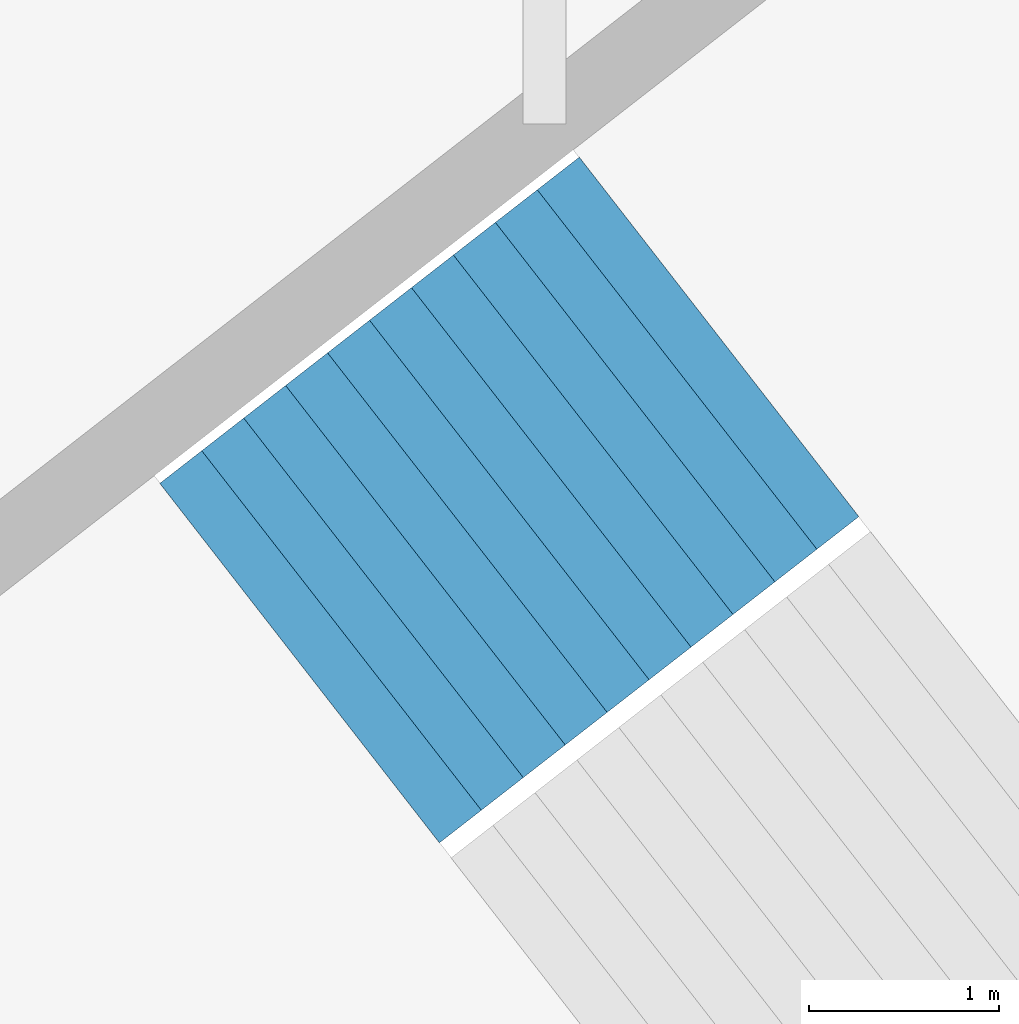
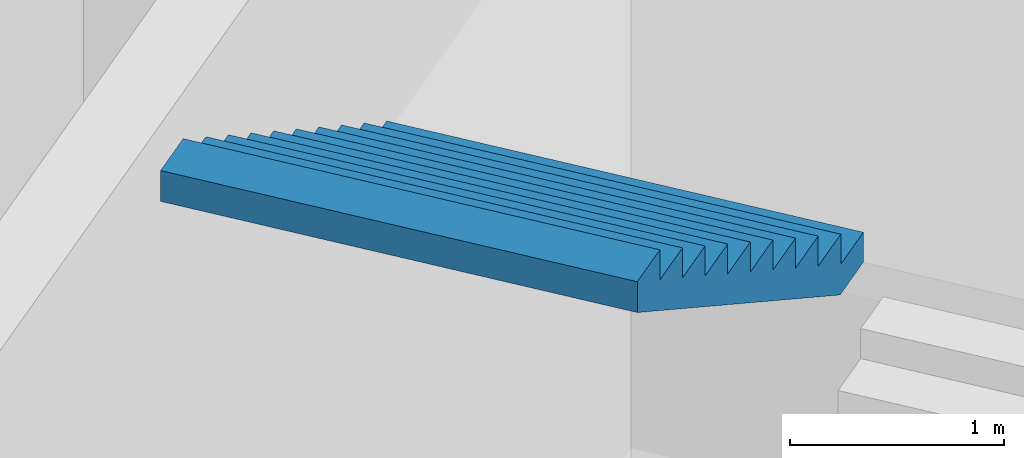
# One storey, part 64 of 73: 1 stair flight, 1 element without a shape of its own.
"""IFC4 building model written with IfcOpenShell, lengths in metres."""

from ifc_helpers import new_model, si_unit, direction, frame, origin, place, context, subcontext, project, spatial, triangles, material, type_object, element, aggregate, save


model = new_model("IFC4")

# Units and contexts
model_context = context("Model", 3, precision=1e-05, world=origin(), true_north=direction((0.0, 1.0)))
body_context = subcontext(model_context, "Body", "Model", "MODEL_VIEW")
ifc_project = project(units=[si_unit("LENGTHUNIT", "METRE"), si_unit("AREAUNIT", "SQUARE_METRE"), si_unit("VOLUMEUNIT", "CUBIC_METRE"), si_unit("PLANEANGLEUNIT", "RADIAN"), si_unit("MASSUNIT", "GRAM", prefix="KILO")], contexts=[model_context])

# Site, building, storey
site_placement = place(None, origin())
site = spatial("IfcSite", under=ifc_project, at=site_placement, CompositionType="ELEMENT")
building_placement = place(site_placement, origin())
building = spatial("IfcBuilding", under=site, at=building_placement, Name="Lantaw Convention Tower", CompositionType="ELEMENT")
storey_placement = place(building_placement, frame((0.0, 0.0, 14.5)))
storey = spatial("IfcBuildingStorey", under=building, at=storey_placement, Name="L02", CompositionType="ELEMENT", Elevation=14.5)

# Stair, stair flight
ifc_material = material(Name="Concrete C35/45", Category="concrete")
stair_type = type_object("IfcStairType", Name="Exit stair 2400 riser 170.45 in 4 flights", PredefinedType="HALF_TURN_STAIR", material=ifc_material)
stair_placement = place(storey_placement, origin())
stair = element("IfcStair", 1, at=stair_placement, inside=storey, type_object=stair_type, Name="Podium exit stair P3 L02", PredefinedType="HALF_TURN_STAIR")
stair_flight_type = type_object("IfcStairFlightType", Name="Stair flight 2400 riser 170.45", PredefinedType="STRAIGHT", material=ifc_material)
stair_flight_placement = place(storey_placement, frame((30.169921875, 25.046875, 5.625), z_axis=(0.0, 0.0, 1.0), x_axis=(-0.789378829664, -0.613906396186, 0.0)))
stair_flight = element("IfcStairFlight", 2, at=stair_flight_placement, type_object=stair_flight_type, Name="P3 flight 4", NumberOfRisers=11, NumberOfTreads=10, PredefinedType="STRAIGHT", RiserHeight=0.170454545, TreadLength=0.28, context=body_context, shape_type="Tessellation", body=[
    triangles([(0.0, 1.199951171875, 0.0), (0.0, 1.199951171875, 0.170454545), (0.28, 1.199951171875, 0.0), (0.28, 1.199951171875, 0.170454545), (0.28, 1.199951171875, 0.34090909), (0.28827876332691904, 1.199951171875, 0.0), (0.28827876332691904, 1.199951171875, 0.34090909), (0.56, 1.199951171875, 0.16541471344266906), (0.56, 1.199951171875, 0.34090909), (0.56, 1.199951171875, 0.511363635), (0.8400000000000001, 1.199951171875, 0.335869258442669), (0.8400000000000001, 1.199951171875, 0.511363635), (0.8400000000000001, 1.199951171875, 0.68181818), (1.12, 1.199951171875, 0.506323803442669), (1.12, 1.199951171875, 0.68181818), (1.12, 1.199951171875, 0.8522727250000001), (1.4000000000000001, 1.199951171875, 0.676778348442669), (1.4000000000000001, 1.199951171875, 0.8522727250000001), (1.4000000000000001, 1.199951171875, 1.02272727), (1.6800000000000002, 1.199951171875, 0.847232893442669), (1.6800000000000002, 1.199951171875, 1.02272727), (1.6800000000000002, 1.199951171875, 1.193181815), (1.9600000000000002, 1.199951171875, 1.017687438442669), (1.9600000000000002, 1.199951171875, 1.193181815), (1.9600000000000002, 1.199951171875, 1.36363636), (2.24, 1.199951171875, 1.188141983442669), (2.24, 1.199951171875, 1.36363636), (2.24, 1.199951171875, 1.5340909050000002), (2.5200000000000005, 1.199951171875, 1.358596528442669), (2.5200000000000005, 1.199951171875, 1.5340909050000002), (2.5200000000000005, 1.199951171875, 1.7045454500000001), (2.8000000000000003, 1.199951171875, 1.529051073442669), (2.8000000000000003, 1.199951171875, 1.7045454500000001), (0.0, -1.199951171875, 0.0), (0.0, -1.199951171875, 0.170454545), (0.28, -1.199951171875, 0.0), (0.28, -1.199951171875, 0.170454545), (0.28, -1.199951171875, 0.34090909), (0.28827876332691904, -1.199951171875, 0.0), (0.28827876332691904, -1.199951171875, 0.34090909), (0.56, -1.199951171875, 0.16541471344266906), (0.56, -1.199951171875, 0.34090909), (0.56, -1.199951171875, 0.511363635), (0.8400000000000001, -1.199951171875, 0.335869258442669), (0.8400000000000001, -1.199951171875, 0.511363635), (0.8400000000000001, -1.199951171875, 0.68181818), (1.12, -1.199951171875, 0.506323803442669), (1.12, -1.199951171875, 0.68181818), (1.12, -1.199951171875, 0.8522727250000001), (1.4000000000000001, -1.199951171875, 0.676778348442669), (1.4000000000000001, -1.199951171875, 0.8522727250000001), (1.4000000000000001, -1.199951171875, 1.02272727), (1.6800000000000002, -1.199951171875, 0.847232893442669), (1.6800000000000002, -1.199951171875, 1.02272727), (1.6800000000000002, -1.199951171875, 1.193181815), (1.9600000000000002, -1.199951171875, 1.017687438442669), (1.9600000000000002, -1.199951171875, 1.193181815), (1.9600000000000002, -1.199951171875, 1.36363636), (2.24, -1.199951171875, 1.188141983442669), (2.24, -1.199951171875, 1.36363636), (2.24, -1.199951171875, 1.5340909050000002), (2.5200000000000005, -1.199951171875, 1.358596528442669), (2.5200000000000005, -1.199951171875, 1.5340909050000002), (2.5200000000000005, -1.199951171875, 1.7045454500000001), (2.8000000000000003, -1.199951171875, 1.529051073442669), (2.8000000000000003, -1.199951171875, 1.7045454500000001), (0.0, 0.239990234375, 0.170454545), (0.0, 0.239990234375, 0.0), (0.0, 0.1199951171875, 0.170454545), (0.0, 0.1199951171875, 0.0), (0.0, 0.0, 0.170454545), (0.0, 0.0, 0.0), (0.0, -0.1199951171875, 0.170454545), (0.0, -0.1199951171875, 0.0), (0.0, -0.239990234375, 0.170454545), (0.0, -0.239990234375, 0.0), (0.28, 0.239990234375, 0.34090909), (0.28, 0.239990234375, 0.170454545), (0.28, 0.1199951171875, 0.34090909), (0.28, 0.1199951171875, 0.170454545), (0.28, 0.0, 0.34090909), (0.28, 0.0, 0.170454545), (0.28, -0.1199951171875, 0.34090909), (0.28, -0.1199951171875, 0.170454545), (0.28, -0.239990234375, 0.34090909), (0.28, -0.239990234375, 0.170454545), (0.56, 0.239990234375, 0.511363635), (0.56, 0.239990234375, 0.34090909), (0.56, 0.1199951171875, 0.511363635), (0.56, 0.1199951171875, 0.34090909), (0.56, 0.0, 0.511363635), (0.56, 0.0, 0.34090909), (0.56, -0.1199951171875, 0.511363635), (0.56, -0.1199951171875, 0.34090909), (0.56, -0.239990234375, 0.511363635), (0.56, -0.239990234375, 0.34090909), (0.8400000000000001, 0.239990234375, 0.68181818), (0.8400000000000001, 0.239990234375, 0.511363635), (0.8400000000000001, 0.1199951171875, 0.68181818), (0.8400000000000001, 0.1199951171875, 0.511363635), (0.8400000000000001, 0.0, 0.68181818), (0.8400000000000001, 0.0, 0.511363635), (0.8400000000000001, -0.1199951171875, 0.68181818), (0.8400000000000001, -0.1199951171875, 0.511363635), (0.8400000000000001, -0.239990234375, 0.68181818), (0.8400000000000001, -0.239990234375, 0.511363635), (1.12, 0.239990234375, 0.8522727250000001), (1.12, 0.239990234375, 0.68181818), (1.12, 0.1199951171875, 0.8522727250000001), (1.12, 0.1199951171875, 0.68181818), (1.12, 0.0, 0.8522727250000001), (1.12, 0.0, 0.68181818), (1.12, -0.1199951171875, 0.8522727250000001), (1.12, -0.1199951171875, 0.68181818), (1.12, -0.239990234375, 0.8522727250000001), (1.12, -0.239990234375, 0.68181818), (1.4000000000000001, 0.239990234375, 1.02272727), (1.4000000000000001, 0.239990234375, 0.8522727250000001), (1.4000000000000001, 0.1199951171875, 1.02272727), (1.4000000000000001, 0.1199951171875, 0.8522727250000001), (1.4000000000000001, 0.0, 1.02272727), (1.4000000000000001, 0.0, 0.8522727250000001), (1.4000000000000001, -0.1199951171875, 1.02272727), (1.4000000000000001, -0.1199951171875, 0.8522727250000001), (1.4000000000000001, -0.239990234375, 1.02272727), (1.4000000000000001, -0.239990234375, 0.8522727250000001), (1.6800000000000002, 0.239990234375, 1.193181815), (1.6800000000000002, 0.239990234375, 1.02272727), (1.6800000000000002, 0.1199951171875, 1.193181815), (1.6800000000000002, 0.1199951171875, 1.02272727), (1.6800000000000002, 0.0, 1.193181815), (1.6800000000000002, 0.0, 1.02272727), (1.6800000000000002, -0.1199951171875, 1.193181815), (1.6800000000000002, -0.1199951171875, 1.02272727), (1.6800000000000002, -0.239990234375, 1.193181815), (1.6800000000000002, -0.239990234375, 1.02272727), (1.9600000000000002, 0.239990234375, 1.36363636), (1.9600000000000002, 0.239990234375, 1.193181815), (1.9600000000000002, 0.1199951171875, 1.36363636), (1.9600000000000002, 0.1199951171875, 1.193181815), (1.9600000000000002, 0.0, 1.36363636), (1.9600000000000002, 0.0, 1.193181815), (1.9600000000000002, -0.1199951171875, 1.36363636), (1.9600000000000002, -0.1199951171875, 1.193181815), (1.9600000000000002, -0.239990234375, 1.36363636), (1.9600000000000002, -0.239990234375, 1.193181815), (2.24, 0.239990234375, 1.5340909050000002), (2.24, 0.239990234375, 1.36363636), (2.24, 0.1199951171875, 1.5340909050000002), (2.24, 0.1199951171875, 1.36363636), (2.24, 0.0, 1.5340909050000002), (2.24, 0.0, 1.36363636), (2.24, -0.1199951171875, 1.5340909050000002), (2.24, -0.1199951171875, 1.36363636), (2.24, -0.239990234375, 1.5340909050000002), (2.24, -0.239990234375, 1.36363636), (2.5200000000000005, 0.239990234375, 1.7045454500000001), (2.5200000000000005, 0.239990234375, 1.5340909050000002), (2.5200000000000005, 0.1199951171875, 1.7045454500000001), (2.5200000000000005, 0.1199951171875, 1.5340909050000002), (2.5200000000000005, 0.0, 1.7045454500000001), (2.5200000000000005, 0.0, 1.5340909050000002), (2.5200000000000005, -0.1199951171875, 1.7045454500000001), (2.5200000000000005, -0.1199951171875, 1.5340909050000002), (2.5200000000000005, -0.239990234375, 1.7045454500000001), (2.5200000000000005, -0.239990234375, 1.5340909050000002), (0.28827876332691904, 0.239990234375, 0.34090909), (0.28827876332691904, 0.1199951171875, 0.34090909), (0.28827876332691904, 0.0, 0.34090909), (0.28827876332691904, -0.1199951171875, 0.34090909), (0.28827876332691904, -0.239990234375, 0.34090909), (2.8000000000000003, 0.239990234375, 1.7045454500000001), (2.8000000000000003, 0.1199951171875, 1.7045454500000001), (2.8000000000000003, 0.0, 1.7045454500000001), (2.8000000000000003, -0.1199951171875, 1.7045454500000001), (2.8000000000000003, -0.239990234375, 1.7045454500000001), (2.8000000000000003, 0.239990234375, 1.5290510734426692), (2.8000000000000003, 0.1199951171875, 1.5290510734426692), (2.8000000000000003, 0.0, 1.5290510734426692), (2.8000000000000003, -0.1199951171875, 1.5290510734426692), (2.8000000000000003, -0.239990234375, 1.5290510734426692), (2.5200000000000005, 0.239990234375, 1.358596528442669), (2.5200000000000005, 0.1199951171875, 1.358596528442669), (2.5200000000000005, 0.0, 1.358596528442669), (2.5200000000000005, -0.1199951171875, 1.358596528442669), (2.5200000000000005, -0.239990234375, 1.358596528442669), (2.24, 0.239990234375, 1.188141983442669), (2.24, 0.1199951171875, 1.188141983442669), (2.24, 0.0, 1.188141983442669), (2.24, -0.1199951171875, 1.188141983442669), (2.24, -0.239990234375, 1.188141983442669), (1.9600000000000002, 0.239990234375, 1.017687438442669), (1.9600000000000002, 0.1199951171875, 1.017687438442669), (1.9600000000000002, 0.0, 1.017687438442669), (1.9600000000000002, -0.1199951171875, 1.017687438442669), (1.9600000000000002, -0.239990234375, 1.017687438442669), (1.6800000000000002, 0.239990234375, 0.847232893442669), (1.6800000000000002, 0.1199951171875, 0.847232893442669), (1.6800000000000002, 0.0, 0.847232893442669), (1.6800000000000002, -0.1199951171875, 0.847232893442669), (1.6800000000000002, -0.239990234375, 0.847232893442669), (1.4000000000000001, 0.239990234375, 0.676778348442669), (1.4000000000000001, 0.1199951171875, 0.676778348442669), (1.4000000000000001, 0.0, 0.676778348442669), (1.4000000000000001, -0.1199951171875, 0.676778348442669), (1.4000000000000001, -0.239990234375, 0.676778348442669), (1.12, 0.239990234375, 0.506323803442669), (1.12, 0.1199951171875, 0.506323803442669), (1.12, 0.0, 0.506323803442669), (1.12, -0.1199951171875, 0.506323803442669), (1.12, -0.239990234375, 0.506323803442669), (0.8400000000000001, 0.239990234375, 0.335869258442669), (0.8400000000000001, 0.1199951171875, 0.335869258442669), (0.8400000000000001, 0.0, 0.335869258442669), (0.8400000000000001, -0.1199951171875, 0.335869258442669), (0.8400000000000001, -0.239990234375, 0.335869258442669), (0.56, 0.239990234375, 0.16541471344266906), (0.56, 0.1199951171875, 0.16541471344266906), (0.56, 0.0, 0.16541471344266906), (0.56, -0.1199951171875, 0.16541471344266906), (0.56, -0.239990234375, 0.16541471344266906), (0.28827876332691904, 0.239990234375, 0.0), (0.28827876332691904, 0.1199951171875, 0.0), (0.28827876332691904, 0.0, 0.0), (0.28827876332691904, -0.1199951171875, 0.0), (0.28827876332691904, -0.239990234375, 0.0), (0.28, 0.239990234375, 0.0), (0.28, 0.1199951171875, 0.0), (0.28, 0.0, 0.0), (0.28, -0.1199951171875, 0.0), (0.28, -0.239990234375, 0.0)], [[1, 4, 3], [1, 2, 4], [3, 4, 6], [4, 7, 6], [4, 5, 7], [6, 9, 8], [6, 7, 9], [8, 9, 11], [9, 12, 11], [9, 10, 12], [11, 12, 14], [12, 15, 14], [12, 13, 15], [14, 15, 17], [15, 18, 17], [15, 16, 18], [17, 18, 20], [18, 21, 20], [18, 19, 21], [20, 21, 23], [21, 24, 23], [21, 22, 24], [23, 24, 26], [24, 27, 26], [24, 25, 27], [26, 27, 29], [27, 30, 29], [27, 28, 30], [29, 30, 32], [30, 33, 32], [30, 31, 33], [34, 36, 37], [34, 37, 35], [36, 39, 37], [37, 39, 40], [37, 40, 38], [39, 41, 42], [39, 42, 40], [41, 44, 42], [42, 44, 45], [42, 45, 43], [44, 47, 45], [45, 47, 48], [45, 48, 46], [47, 50, 48], [48, 50, 51], [48, 51, 49], [50, 53, 51], [51, 53, 54], [51, 54, 52], [53, 56, 54], [54, 56, 57], [54, 57, 55], [56, 59, 57], [57, 59, 60], [57, 60, 58], [59, 62, 60], [60, 62, 63], [60, 63, 61], [62, 65, 63], [63, 65, 66], [63, 66, 64], [1, 67, 2], [1, 68, 67], [68, 69, 67], [68, 70, 69], [70, 71, 69], [70, 72, 71], [72, 73, 71], [72, 74, 73], [74, 75, 73], [74, 76, 75], [76, 35, 75], [76, 34, 35], [4, 77, 5], [4, 78, 77], [78, 79, 77], [78, 80, 79], [80, 81, 79], [80, 82, 81], [82, 83, 81], [82, 84, 83], [84, 85, 83], [84, 86, 85], [86, 38, 85], [86, 37, 38], [9, 87, 10], [9, 88, 87], [88, 89, 87], [88, 90, 89], [90, 91, 89], [90, 92, 91], [92, 93, 91], [92, 94, 93], [94, 95, 93], [94, 96, 95], [96, 43, 95], [96, 42, 43], [12, 97, 13], [12, 98, 97], [98, 99, 97], [98, 100, 99], [100, 101, 99], [100, 102, 101], [102, 103, 101], [102, 104, 103], [104, 105, 103], [104, 106, 105], [106, 46, 105], [106, 45, 46], [15, 107, 16], [15, 108, 107], [108, 109, 107], [108, 110, 109], [110, 111, 109], [110, 112, 111], [112, 113, 111], [112, 114, 113], [114, 115, 113], [114, 116, 115], [116, 49, 115], [116, 48, 49], [18, 117, 19], [18, 118, 117], [118, 119, 117], [118, 120, 119], [120, 121, 119], [120, 122, 121], [122, 123, 121], [122, 124, 123], [124, 125, 123], [124, 126, 125], [126, 52, 125], [126, 51, 52], [21, 127, 22], [21, 128, 127], [128, 129, 127], [128, 130, 129], [130, 131, 129], [130, 132, 131], [132, 133, 131], [132, 134, 133], [134, 135, 133], [134, 136, 135], [136, 55, 135], [136, 54, 55], [24, 137, 25], [24, 138, 137], [138, 139, 137], [138, 140, 139], [140, 141, 139], [140, 142, 141], [142, 143, 141], [142, 144, 143], [144, 145, 143], [144, 146, 145], [146, 58, 145], [146, 57, 58], [27, 147, 28], [27, 148, 147], [148, 149, 147], [148, 150, 149], [150, 151, 149], [150, 152, 151], [152, 153, 151], [152, 154, 153], [154, 155, 153], [154, 156, 155], [156, 61, 155], [156, 60, 61], [30, 157, 31], [30, 158, 157], [158, 159, 157], [158, 160, 159], [160, 161, 159], [160, 162, 161], [162, 163, 161], [162, 164, 163], [164, 165, 163], [164, 166, 165], [166, 64, 165], [166, 63, 64], [2, 78, 4], [2, 67, 78], [67, 80, 78], [67, 69, 80], [69, 82, 80], [69, 71, 82], [71, 84, 82], [71, 73, 84], [73, 86, 84], [73, 75, 86], [75, 37, 86], [75, 35, 37], [5, 167, 7], [5, 77, 167], [77, 168, 167], [77, 79, 168], [79, 169, 168], [79, 81, 169], [81, 170, 169], [81, 83, 170], [83, 171, 170], [83, 85, 171], [85, 40, 171], [85, 38, 40], [7, 88, 9], [7, 167, 88], [167, 90, 88], [167, 168, 90], [168, 92, 90], [168, 169, 92], [169, 94, 92], [169, 170, 94], [170, 96, 94], [170, 171, 96], [171, 42, 96], [171, 40, 42], [10, 98, 12], [10, 87, 98], [87, 100, 98], [87, 89, 100], [89, 102, 100], [89, 91, 102], [91, 104, 102], [91, 93, 104], [93, 106, 104], [93, 95, 106], [95, 45, 106], [95, 43, 45], [13, 108, 15], [13, 97, 108], [97, 110, 108], [97, 99, 110], [99, 112, 110], [99, 101, 112], [101, 114, 112], [101, 103, 114], [103, 116, 114], [103, 105, 116], [105, 48, 116], [105, 46, 48], [16, 118, 18], [16, 107, 118], [107, 120, 118], [107, 109, 120], [109, 122, 120], [109, 111, 122], [111, 124, 122], [111, 113, 124], [113, 126, 124], [113, 115, 126], [115, 51, 126], [115, 49, 51], [19, 128, 21], [19, 117, 128], [117, 130, 128], [117, 119, 130], [119, 132, 130], [119, 121, 132], [121, 134, 132], [121, 123, 134], [123, 136, 134], [123, 125, 136], [125, 54, 136], [125, 52, 54], [22, 138, 24], [22, 127, 138], [127, 140, 138], [127, 129, 140], [129, 142, 140], [129, 131, 142], [131, 144, 142], [131, 133, 144], [133, 146, 144], [133, 135, 146], [135, 57, 146], [135, 55, 57], [25, 148, 27], [25, 137, 148], [137, 150, 148], [137, 139, 150], [139, 152, 150], [139, 141, 152], [141, 154, 152], [141, 143, 154], [143, 156, 154], [143, 145, 156], [145, 60, 156], [145, 58, 60], [28, 158, 30], [28, 147, 158], [147, 160, 158], [147, 149, 160], [149, 162, 160], [149, 151, 162], [151, 164, 162], [151, 153, 164], [153, 166, 164], [153, 155, 166], [155, 63, 166], [155, 61, 63], [31, 172, 33], [31, 157, 172], [157, 173, 172], [157, 159, 173], [159, 174, 173], [159, 161, 174], [161, 175, 174], [161, 163, 175], [163, 176, 175], [163, 165, 176], [165, 66, 176], [165, 64, 66], [33, 177, 32], [33, 172, 177], [172, 178, 177], [172, 173, 178], [173, 179, 178], [173, 174, 179], [174, 180, 179], [174, 175, 180], [175, 181, 180], [175, 176, 181], [176, 65, 181], [176, 66, 65], [32, 182, 29], [32, 177, 182], [177, 183, 182], [177, 178, 183], [178, 184, 183], [178, 179, 184], [179, 185, 184], [179, 180, 185], [180, 186, 185], [180, 181, 186], [181, 62, 186], [181, 65, 62], [29, 187, 26], [29, 182, 187], [182, 188, 187], [182, 183, 188], [183, 189, 188], [183, 184, 189], [184, 190, 189], [184, 185, 190], [185, 191, 190], [185, 186, 191], [186, 59, 191], [186, 62, 59], [26, 192, 23], [26, 187, 192], [187, 193, 192], [187, 188, 193], [188, 194, 193], [188, 189, 194], [189, 195, 194], [189, 190, 195], [190, 196, 195], [190, 191, 196], [191, 56, 196], [191, 59, 56], [23, 197, 20], [23, 192, 197], [192, 198, 197], [192, 193, 198], [193, 199, 198], [193, 194, 199], [194, 200, 199], [194, 195, 200], [195, 201, 200], [195, 196, 201], [196, 53, 201], [196, 56, 53], [20, 202, 17], [20, 197, 202], [197, 203, 202], [197, 198, 203], [198, 204, 203], [198, 199, 204], [199, 205, 204], [199, 200, 205], [200, 206, 205], [200, 201, 206], [201, 50, 206], [201, 53, 50], [17, 207, 14], [17, 202, 207], [202, 208, 207], [202, 203, 208], [203, 209, 208], [203, 204, 209], [204, 210, 209], [204, 205, 210], [205, 211, 210], [205, 206, 211], [206, 47, 211], [206, 50, 47], [14, 212, 11], [14, 207, 212], [207, 213, 212], [207, 208, 213], [208, 214, 213], [208, 209, 214], [209, 215, 214], [209, 210, 215], [210, 216, 215], [210, 211, 216], [211, 44, 216], [211, 47, 44], [11, 217, 8], [11, 212, 217], [212, 218, 217], [212, 213, 218], [213, 219, 218], [213, 214, 219], [214, 220, 219], [214, 215, 220], [215, 221, 220], [215, 216, 221], [216, 41, 221], [216, 44, 41], [8, 222, 6], [8, 217, 222], [217, 223, 222], [217, 218, 223], [218, 224, 223], [218, 219, 224], [219, 225, 224], [219, 220, 225], [220, 226, 225], [220, 221, 226], [221, 39, 226], [221, 41, 39], [6, 227, 3], [6, 222, 227], [222, 228, 227], [222, 223, 228], [223, 229, 228], [223, 224, 229], [224, 230, 229], [224, 225, 230], [225, 231, 230], [225, 226, 231], [226, 36, 231], [226, 39, 36], [3, 68, 1], [3, 227, 68], [227, 70, 68], [227, 228, 70], [228, 72, 70], [228, 229, 72], [229, 74, 72], [229, 230, 74], [230, 76, 74], [230, 231, 76], [231, 34, 76], [231, 36, 34]], closed=True),
])
aggregate(stair, [stair_flight])

save(model, "model.ifc")
